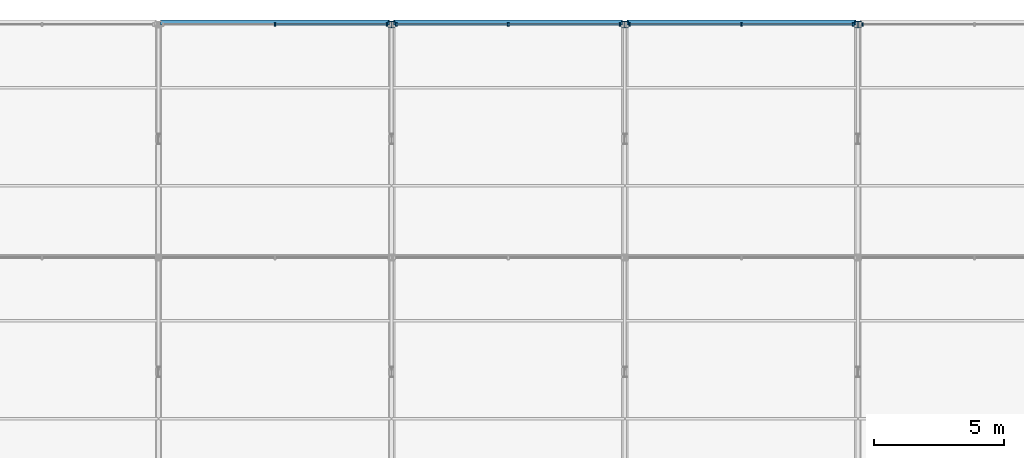
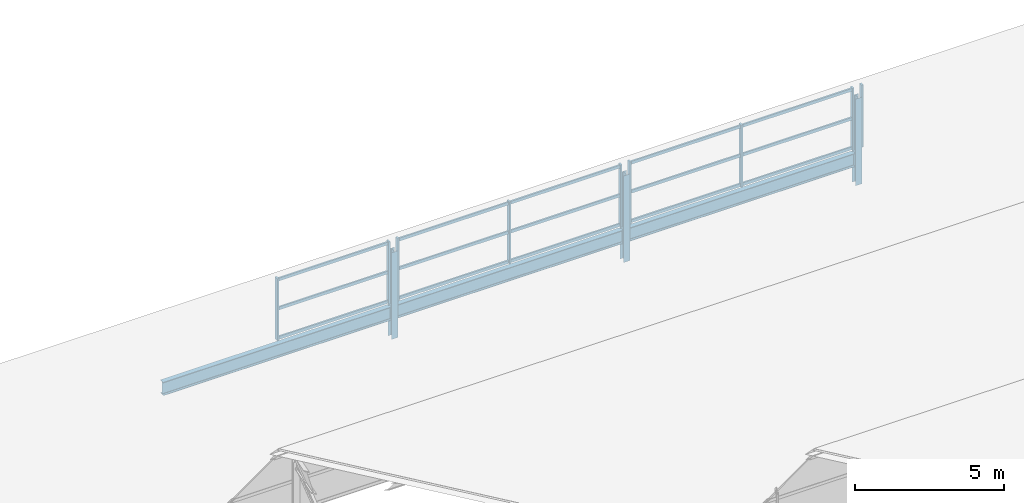
# One storey, part 96 of 163: 27 members, 3 beams, 4 elements without a shape of their own.
"""IFC4 building model written with IfcOpenShell, lengths in metres."""

from ifc_helpers import new_model, si_unit, direction, frame, origin, origin_2d, place, context, subcontext, project, spatial, rectangle, i_section, extrude, material, material_profile, profile_set, type_object, element, aggregate, save


model = new_model("IFC4")

# Units and contexts
model_context = context("Model", 3, precision=1e-05, world=origin(), true_north=direction((0.0, 1.0)))
body_context = subcontext(model_context, "Body", "Model", "MODEL_VIEW")
ifc_project = project(units=[si_unit("LENGTHUNIT", "METRE"), si_unit("AREAUNIT", "SQUARE_METRE"), si_unit("VOLUMEUNIT", "CUBIC_METRE"), si_unit("PLANEANGLEUNIT", "RADIAN"), si_unit("MASSUNIT", "GRAM", prefix="KILO")], contexts=[model_context])

# Site, building, storey
site_placement = place(None, origin())
site = spatial("IfcSite", under=ifc_project, at=site_placement, CompositionType="ELEMENT")
building_placement = place(site_placement, origin())
building = spatial("IfcBuilding", under=site, at=building_placement, Name="Tharagai Park Tramway Depot", CompositionType="ELEMENT")
storey_placement = place(building_placement, frame((0.0, 0.0, 8.39990234375)))
storey = spatial("IfcBuildingStorey", under=building, at=storey_placement, Name="L02", CompositionType="ELEMENT", Elevation=8.39990234375)

# Beams
ifc_material_1 = material(Name="Steel E350", Category="steel")
ifc_material_profile_1 = material_profile(ifc_material_1, i_section(OverallWidth=0.18994140625, OverallDepth=0.550048828125, WebThickness=0.01123046875, FlangeThickness=0.019287109375, FilletRadius=0.01806640625, at=origin_2d()), Name="ISMB 550")
ifc_profile_set_1 = profile_set([ifc_material_profile_1], Name="Steel E350")
beam_type = type_object("IfcBeamType", Name="BM-09", PredefinedType="BEAM", material=ifc_profile_set_1)
for number, where, z_axis, x_axis, name in (
    (1, (27.080078125, 144.0, 0.72509765625), (1.0, 0.0, 0.0), (0.0, 1.0, 0.0), "Sawtooth Valley Girder BM-09"),
    (2, (36.080078125, 144.0, 0.72509765625), (1.0, 0.0, 0.0), (0.0, 1.0, 0.0), "Sawtooth Valley Girder BM-09"),
    (3, (45.080078125, 144.0, 0.72509765625), (1.0, 0.0, 0.0), (0.0, 1.0, 0.0), "Sawtooth Valley Girder BM-09"),
):
    element("IfcBeam", number, at=place(storey_placement, frame(where, z_axis=z_axis, x_axis=x_axis)), inside=storey, type_object=beam_type, Name=name, PredefinedType="BEAM", context=body_context, shape_type="SweptSolid", body=[
        extrude(i_section(OverallWidth=0.18994140625, OverallDepth=0.550048828125, WebThickness=0.01123046875, FlangeThickness=0.019287109375, FilletRadius=0.01806640625, at=origin_2d()), origin(), (0.0, 0.0, 1.0), 8.83984375),
    ])

# Members
ifc_material_profile_2 = material_profile(ifc_material_1, i_section(OverallWidth=0.25, OverallDepth=0.25, WebThickness=0.0087890625, FlangeThickness=0.009765625, FilletRadius=0.010009765625, at=origin_2d()), Name="ISHB 250")
ifc_profile_set_2 = profile_set([ifc_material_profile_2], Name="Steel E350")
member_type_1 = type_object("IfcMemberType", Name="BR-01", PredefinedType="BRACE", material=ifc_profile_set_2)
for number, where, z_axis, x_axis, name in (
    (4, (36.0, 143.919921875, -0.25), (0.0, 0.0, 1.0), (1.0, 0.0, 0.0), "Sawtooth North Vertical Post BR-01"),
    (5, (45.0, 143.919921875, -0.25), (0.0, 0.0, 1.0), (1.0, 0.0, 0.0), "Sawtooth North Vertical Post BR-01"),
    (6, (54.0, 143.919921875, -0.25), (0.0, 0.0, 1.0), (1.0, 0.0, 0.0), "Sawtooth North Vertical Post BR-01"),
):
    element("IfcMember", number, at=place(storey_placement, frame(where, z_axis=z_axis, x_axis=x_axis)), inside=storey, type_object=member_type_1, Name=name, PredefinedType="BRACE", context=body_context, shape_type="SweptSolid", body=[
        extrude(i_section(OverallWidth=0.25, OverallDepth=0.25, WebThickness=0.0087890625, FlangeThickness=0.009765625, FilletRadius=0.010009765625, at=origin_2d()), origin(), (0.0, 0.0, 1.0), 3.55517578125),
    ])

# Curtain wall, members
ifc_material_2 = material(Name="Anodised aluminium", Category="aluminium")
curtain_wall_type = type_object("IfcCurtainWallType", Name="CW-03", PredefinedType="NOTDEFINED", material=ifc_material_2)
curtain_wall_1_placement = place(storey_placement, origin())
curtain_wall_1 = element("IfcCurtainWall", 7, at=curtain_wall_1_placement, inside=storey, type_object=curtain_wall_type, Name="Sawtooth North-Light Clerestory CW-03", PredefinedType="NOTDEFINED")
ifc_material_profile_3 = material_profile(ifc_material_2, rectangle(XDim=0.06494140625, YDim=0.1201171875, at=origin_2d()), Name="ALU 65x120")
ifc_profile_set_3 = profile_set([ifc_material_profile_3], Name="Anodised aluminium")
member_type_2 = type_object("IfcMemberType", Name="CM-01", PredefinedType="USERDEFINED", material=ifc_profile_set_3)
member_1_placement = place(storey_placement, frame((31.514892578125, 143.919921875, 1.26513671875), z_axis=(1.0, 0.0, 0.0), x_axis=(0.0, 1.0, 0.0)))
member_1 = element("IfcMember", 8, at=member_1_placement, type_object=member_type_2, Name="Sawtooth North-Light Clerestory Transom 2.1", ObjectType="TRANSOM", PredefinedType="USERDEFINED", context=body_context, shape_type="SweptSolid", body=[
    extrude(rectangle(XDim=0.06494140625, YDim=0.1201171875, at=origin_2d()), origin(), (0.0, 0.0, 1.0), 4.2900390625),
])
member_2_placement = place(storey_placement, frame((31.514892578125, 143.919921875, 2.4736328125), z_axis=(1.0, 0.0, 0.0), x_axis=(0.0, 1.0, 0.0)))
member_2 = element("IfcMember", 9, at=member_2_placement, type_object=member_type_2, Name="Sawtooth North-Light Clerestory Transom 2.2", ObjectType="TRANSOM", PredefinedType="USERDEFINED", context=body_context, shape_type="SweptSolid", body=[
    extrude(rectangle(XDim=0.06494140625, YDim=0.1201171875, at=origin_2d()), origin(), (0.0, 0.0, 1.0), 4.2900390625),
])
member_3_placement = place(storey_placement, frame((31.514892578125, 143.919921875, 3.662353515625), z_axis=(1.0, 0.0, 0.0), x_axis=(0.0, 1.0, 0.0)))
member_3 = element("IfcMember", 10, at=member_3_placement, type_object=member_type_2, Name="Sawtooth North-Light Clerestory Transom 2.3", ObjectType="TRANSOM", PredefinedType="USERDEFINED", context=body_context, shape_type="SweptSolid", body=[
    extrude(rectangle(XDim=0.06494140625, YDim=0.1201171875, at=origin_2d()), origin(), (0.0, 0.0, 1.0), 4.2900390625),
])

curtain_wall_2_placement = place(storey_placement, origin())
curtain_wall_2 = element("IfcCurtainWall", 11, at=curtain_wall_2_placement, inside=storey, type_object=curtain_wall_type, Name="Sawtooth North-Light Clerestory CW-03", PredefinedType="NOTDEFINED")
member_4_placement = place(storey_placement, frame((36.195068359375, 143.919921875, 1.26513671875), z_axis=(1.0, 0.0, 0.0), x_axis=(0.0, 1.0, 0.0)))
member_4 = element("IfcMember", 12, at=member_4_placement, type_object=member_type_2, Name="Sawtooth North-Light Clerestory Transom 1.1", ObjectType="TRANSOM", PredefinedType="USERDEFINED", context=body_context, shape_type="SweptSolid", body=[
    extrude(rectangle(XDim=0.06494140625, YDim=0.1201171875, at=origin_2d()), origin(), (0.0, 0.0, 1.0), 4.2900390625),
])
member_5_placement = place(storey_placement, frame((36.195068359375, 143.919921875, 2.4736328125), z_axis=(1.0, 0.0, 0.0), x_axis=(0.0, 1.0, 0.0)))
member_5 = element("IfcMember", 13, at=member_5_placement, type_object=member_type_2, Name="Sawtooth North-Light Clerestory Transom 1.2", ObjectType="TRANSOM", PredefinedType="USERDEFINED", context=body_context, shape_type="SweptSolid", body=[
    extrude(rectangle(XDim=0.06494140625, YDim=0.1201171875, at=origin_2d()), origin(), (0.0, 0.0, 1.0), 4.2900390625),
])
member_6_placement = place(storey_placement, frame((36.195068359375, 143.919921875, 3.662353515625), z_axis=(1.0, 0.0, 0.0), x_axis=(0.0, 1.0, 0.0)))
member_6 = element("IfcMember", 14, at=member_6_placement, type_object=member_type_2, Name="Sawtooth North-Light Clerestory Transom 1.3", ObjectType="TRANSOM", PredefinedType="USERDEFINED", context=body_context, shape_type="SweptSolid", body=[
    extrude(rectangle(XDim=0.06494140625, YDim=0.1201171875, at=origin_2d()), origin(), (0.0, 0.0, 1.0), 4.2900390625),
])
member_7_placement = place(storey_placement, frame((40.514892578125, 143.919921875, 1.26513671875), z_axis=(1.0, 0.0, 0.0), x_axis=(0.0, 1.0, 0.0)))
member_7 = element("IfcMember", 15, at=member_7_placement, type_object=member_type_2, Name="Sawtooth North-Light Clerestory Transom 2.1", ObjectType="TRANSOM", PredefinedType="USERDEFINED", context=body_context, shape_type="SweptSolid", body=[
    extrude(rectangle(XDim=0.06494140625, YDim=0.1201171875, at=origin_2d()), origin(), (0.0, 0.0, 1.0), 4.2900390625),
])
member_8_placement = place(storey_placement, frame((40.514892578125, 143.919921875, 2.4736328125), z_axis=(1.0, 0.0, 0.0), x_axis=(0.0, 1.0, 0.0)))
member_8 = element("IfcMember", 16, at=member_8_placement, type_object=member_type_2, Name="Sawtooth North-Light Clerestory Transom 2.2", ObjectType="TRANSOM", PredefinedType="USERDEFINED", context=body_context, shape_type="SweptSolid", body=[
    extrude(rectangle(XDim=0.06494140625, YDim=0.1201171875, at=origin_2d()), origin(), (0.0, 0.0, 1.0), 4.2900390625),
])
member_9_placement = place(storey_placement, frame((40.514892578125, 143.919921875, 3.662353515625), z_axis=(1.0, 0.0, 0.0), x_axis=(0.0, 1.0, 0.0)))
member_9 = element("IfcMember", 17, at=member_9_placement, type_object=member_type_2, Name="Sawtooth North-Light Clerestory Transom 2.3", ObjectType="TRANSOM", PredefinedType="USERDEFINED", context=body_context, shape_type="SweptSolid", body=[
    extrude(rectangle(XDim=0.06494140625, YDim=0.1201171875, at=origin_2d()), origin(), (0.0, 0.0, 1.0), 4.2900390625),
])

curtain_wall_3_placement = place(storey_placement, origin())
curtain_wall_3 = element("IfcCurtainWall", 18, at=curtain_wall_3_placement, inside=storey, type_object=curtain_wall_type, Name="Sawtooth North-Light Clerestory CW-03", PredefinedType="NOTDEFINED")
member_10_placement = place(storey_placement, frame((45.195068359375, 143.919921875, 1.26513671875), z_axis=(1.0, 0.0, 0.0), x_axis=(0.0, 1.0, 0.0)))
member_10 = element("IfcMember", 19, at=member_10_placement, type_object=member_type_2, Name="Sawtooth North-Light Clerestory Transom 1.1", ObjectType="TRANSOM", PredefinedType="USERDEFINED", context=body_context, shape_type="SweptSolid", body=[
    extrude(rectangle(XDim=0.06494140625, YDim=0.1201171875, at=origin_2d()), origin(), (0.0, 0.0, 1.0), 4.2900390625),
])
member_11_placement = place(storey_placement, frame((45.195068359375, 143.919921875, 2.4736328125), z_axis=(1.0, 0.0, 0.0), x_axis=(0.0, 1.0, 0.0)))
member_11 = element("IfcMember", 20, at=member_11_placement, type_object=member_type_2, Name="Sawtooth North-Light Clerestory Transom 1.2", ObjectType="TRANSOM", PredefinedType="USERDEFINED", context=body_context, shape_type="SweptSolid", body=[
    extrude(rectangle(XDim=0.06494140625, YDim=0.1201171875, at=origin_2d()), origin(), (0.0, 0.0, 1.0), 4.2900390625),
])
member_12_placement = place(storey_placement, frame((45.195068359375, 143.919921875, 3.662353515625), z_axis=(1.0, 0.0, 0.0), x_axis=(0.0, 1.0, 0.0)))
member_12 = element("IfcMember", 21, at=member_12_placement, type_object=member_type_2, Name="Sawtooth North-Light Clerestory Transom 1.3", ObjectType="TRANSOM", PredefinedType="USERDEFINED", context=body_context, shape_type="SweptSolid", body=[
    extrude(rectangle(XDim=0.06494140625, YDim=0.1201171875, at=origin_2d()), origin(), (0.0, 0.0, 1.0), 4.2900390625),
])
member_13_placement = place(storey_placement, frame((49.514892578125, 143.919921875, 1.26513671875), z_axis=(1.0, 0.0, 0.0), x_axis=(0.0, 1.0, 0.0)))
member_13 = element("IfcMember", 22, at=member_13_placement, type_object=member_type_2, Name="Sawtooth North-Light Clerestory Transom 2.1", ObjectType="TRANSOM", PredefinedType="USERDEFINED", context=body_context, shape_type="SweptSolid", body=[
    extrude(rectangle(XDim=0.06494140625, YDim=0.1201171875, at=origin_2d()), origin(), (0.0, 0.0, 1.0), 4.2900390625),
])
member_14_placement = place(storey_placement, frame((49.514892578125, 143.919921875, 2.4736328125), z_axis=(1.0, 0.0, 0.0), x_axis=(0.0, 1.0, 0.0)))
member_14 = element("IfcMember", 23, at=member_14_placement, type_object=member_type_2, Name="Sawtooth North-Light Clerestory Transom 2.2", ObjectType="TRANSOM", PredefinedType="USERDEFINED", context=body_context, shape_type="SweptSolid", body=[
    extrude(rectangle(XDim=0.06494140625, YDim=0.1201171875, at=origin_2d()), origin(), (0.0, 0.0, 1.0), 4.2900390625),
])
member_15_placement = place(storey_placement, frame((49.514892578125, 143.919921875, 3.662353515625), z_axis=(1.0, 0.0, 0.0), x_axis=(0.0, 1.0, 0.0)))
member_15 = element("IfcMember", 24, at=member_15_placement, type_object=member_type_2, Name="Sawtooth North-Light Clerestory Transom 2.3", ObjectType="TRANSOM", PredefinedType="USERDEFINED", context=body_context, shape_type="SweptSolid", body=[
    extrude(rectangle(XDim=0.06494140625, YDim=0.1201171875, at=origin_2d()), origin(), (0.0, 0.0, 1.0), 4.2900390625),
])

# Member
ifc_material_profile_4 = material_profile(ifc_material_2, rectangle(XDim=0.06494140625, YDim=0.14990234375, at=origin_2d()), Name="ALU 65x150")
ifc_profile_set_4 = profile_set([ifc_material_profile_4], Name="Anodised aluminium")
member_type_3 = type_object("IfcMemberType", Name="CM-03", PredefinedType="MULLION", material=ifc_profile_set_4)
member_16_placement = place(storey_placement, frame((31.5, 143.919921875, 1.2001953125), z_axis=(0.0, 0.0, 1.0), x_axis=(1.0, 0.0, 0.0)))
member_16 = element("IfcMember", 25, at=member_16_placement, type_object=member_type_3, Name="Sawtooth North-Light Clerestory Mullion 2", PredefinedType="MULLION", context=body_context, shape_type="SweptSolid", body=[
    extrude(rectangle(XDim=0.06494140625, YDim=0.14990234375, at=origin_2d()), origin(), (0.0, 0.0, 1.0), 2.547119140625),
])

member_17_placement = place(storey_placement, frame((35.820068359375, 143.919921875, 1.2001953125), z_axis=(0.0, 0.0, 1.0), x_axis=(1.0, 0.0, 0.0)))
member_17 = element("IfcMember", 26, at=member_17_placement, type_object=member_type_3, Name="Sawtooth North-Light Clerestory Mullion 3", PredefinedType="MULLION", context=body_context, shape_type="SweptSolid", body=[
    extrude(rectangle(XDim=0.06494140625, YDim=0.14990234375, at=origin_2d()), origin(), (0.0, 0.0, 1.0), 2.547119140625),
])

aggregate(curtain_wall_1, [member_16, member_17, member_1, member_2, member_3])

member_18_placement = place(storey_placement, frame((36.179931640625, 143.919921875, 1.2001953125), z_axis=(0.0, 0.0, 1.0), x_axis=(1.0, 0.0, 0.0)))
member_18 = element("IfcMember", 27, at=member_18_placement, type_object=member_type_3, Name="Sawtooth North-Light Clerestory Mullion 1", PredefinedType="MULLION", context=body_context, shape_type="SweptSolid", body=[
    extrude(rectangle(XDim=0.06494140625, YDim=0.14990234375, at=origin_2d()), origin(), (0.0, 0.0, 1.0), 2.547119140625),
])

member_19_placement = place(storey_placement, frame((40.5, 143.919921875, 1.2001953125), z_axis=(0.0, 0.0, 1.0), x_axis=(1.0, 0.0, 0.0)))
member_19 = element("IfcMember", 28, at=member_19_placement, type_object=member_type_3, Name="Sawtooth North-Light Clerestory Mullion 2", PredefinedType="MULLION", context=body_context, shape_type="SweptSolid", body=[
    extrude(rectangle(XDim=0.06494140625, YDim=0.14990234375, at=origin_2d()), origin(), (0.0, 0.0, 1.0), 2.547119140625),
])

member_20_placement = place(storey_placement, frame((44.820068359375, 143.919921875, 1.2001953125), z_axis=(0.0, 0.0, 1.0), x_axis=(1.0, 0.0, 0.0)))
member_20 = element("IfcMember", 29, at=member_20_placement, type_object=member_type_3, Name="Sawtooth North-Light Clerestory Mullion 3", PredefinedType="MULLION", context=body_context, shape_type="SweptSolid", body=[
    extrude(rectangle(XDim=0.06494140625, YDim=0.14990234375, at=origin_2d()), origin(), (0.0, 0.0, 1.0), 2.547119140625),
])

aggregate(curtain_wall_2, [member_18, member_19, member_20, member_4, member_5, member_6, member_7, member_8, member_9])

member_21_placement = place(storey_placement, frame((45.179931640625, 143.919921875, 1.2001953125), z_axis=(0.0, 0.0, 1.0), x_axis=(1.0, 0.0, 0.0)))
member_21 = element("IfcMember", 30, at=member_21_placement, type_object=member_type_3, Name="Sawtooth North-Light Clerestory Mullion 1", PredefinedType="MULLION", context=body_context, shape_type="SweptSolid", body=[
    extrude(rectangle(XDim=0.06494140625, YDim=0.14990234375, at=origin_2d()), origin(), (0.0, 0.0, 1.0), 2.547119140625),
])

member_22_placement = place(storey_placement, frame((49.5, 143.919921875, 1.2001953125), z_axis=(0.0, 0.0, 1.0), x_axis=(1.0, 0.0, 0.0)))
member_22 = element("IfcMember", 31, at=member_22_placement, type_object=member_type_3, Name="Sawtooth North-Light Clerestory Mullion 2", PredefinedType="MULLION", context=body_context, shape_type="SweptSolid", body=[
    extrude(rectangle(XDim=0.06494140625, YDim=0.14990234375, at=origin_2d()), origin(), (0.0, 0.0, 1.0), 2.547119140625),
])

member_23_placement = place(storey_placement, frame((53.820068359375, 143.919921875, 1.2001953125), z_axis=(0.0, 0.0, 1.0), x_axis=(1.0, 0.0, 0.0)))
member_23 = element("IfcMember", 32, at=member_23_placement, type_object=member_type_3, Name="Sawtooth North-Light Clerestory Mullion 3", PredefinedType="MULLION", context=body_context, shape_type="SweptSolid", body=[
    extrude(rectangle(XDim=0.06494140625, YDim=0.14990234375, at=origin_2d()), origin(), (0.0, 0.0, 1.0), 2.547119140625),
])

aggregate(curtain_wall_3, [member_21, member_22, member_23, member_10, member_11, member_12, member_13, member_14, member_15])

# Curtain wall, member
curtain_wall_4_placement = place(storey_placement, origin())
curtain_wall_4 = element("IfcCurtainWall", 33, at=curtain_wall_4_placement, inside=storey, type_object=curtain_wall_type, Name="Sawtooth North-Light Clerestory CW-03", PredefinedType="NOTDEFINED")
member_24_placement = place(storey_placement, frame((54.179931640625, 143.919921875, 1.2001953125), z_axis=(0.0, 0.0, 1.0), x_axis=(1.0, 0.0, 0.0)))
member_24 = element("IfcMember", 34, at=member_24_placement, type_object=member_type_3, Name="Sawtooth North-Light Clerestory Mullion 1", PredefinedType="MULLION", context=body_context, shape_type="SweptSolid", body=[
    extrude(rectangle(XDim=0.06494140625, YDim=0.14990234375, at=origin_2d()), origin(), (0.0, 0.0, 1.0), 2.547119140625),
])
aggregate(curtain_wall_4, [member_24])

save(model, "model.ifc")
